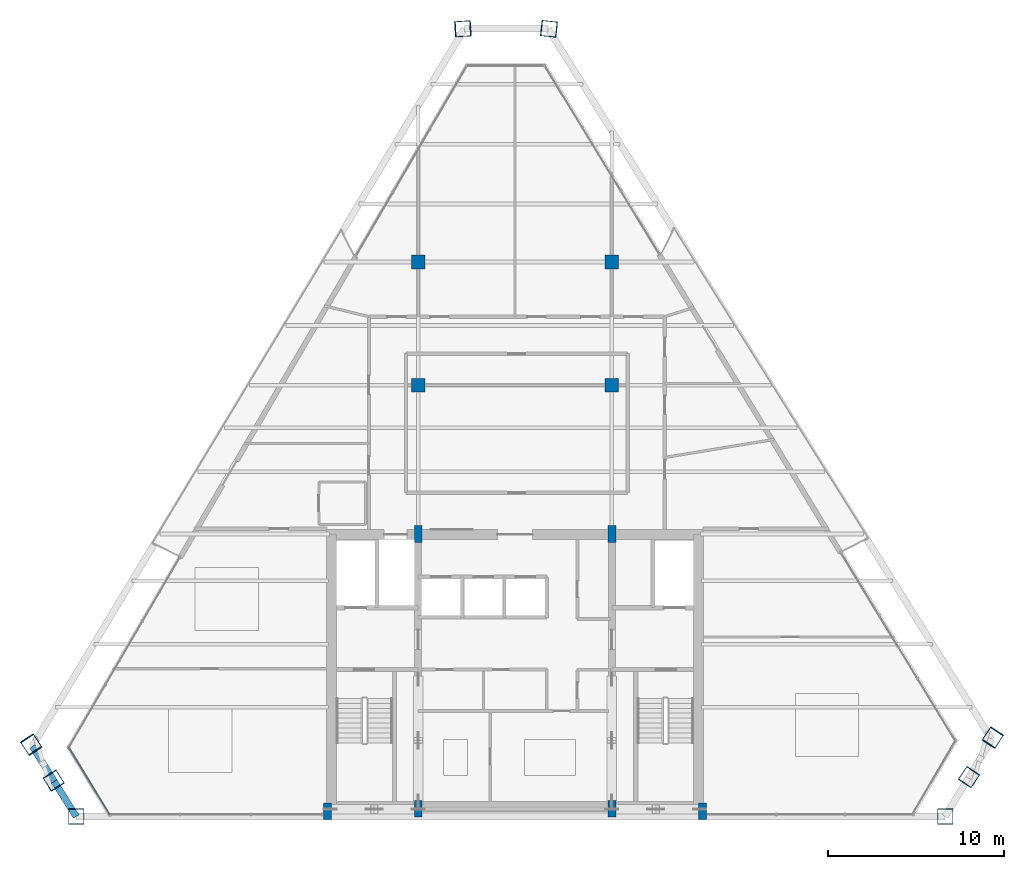
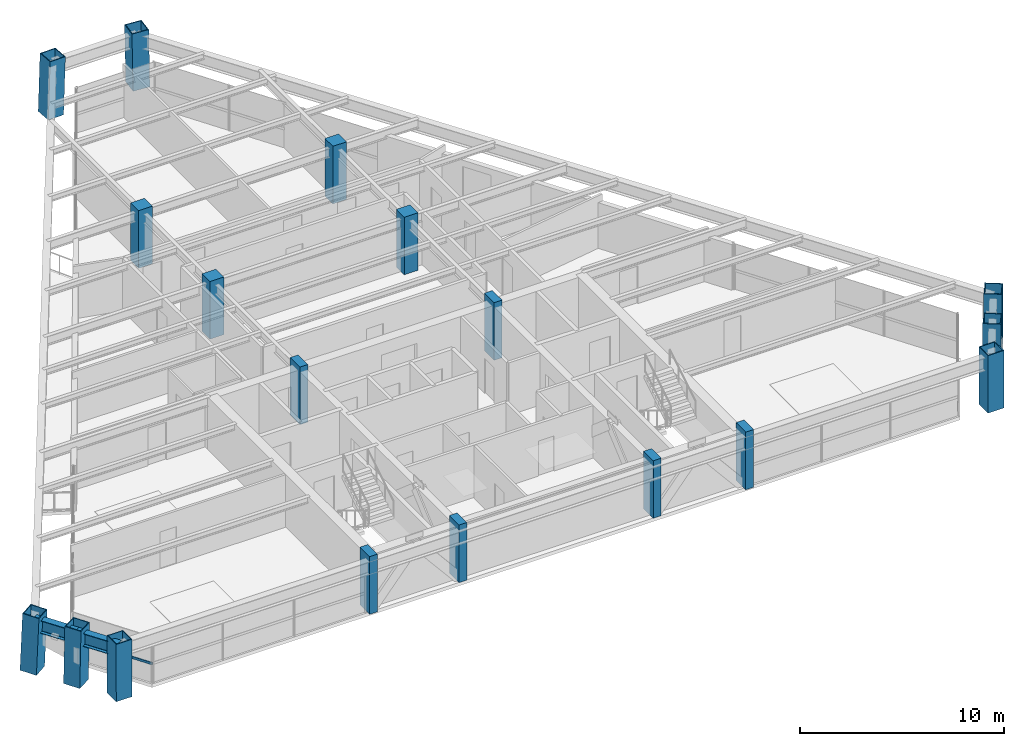
# One storey, part 1 of 13: 18 columns, 2 beams, 1 member, 1 element without a shape of its own.
"""IFC4 building model written with IfcOpenShell, lengths in metres."""

from ifc_helpers import new_model, si_unit, direction, frame, origin, origin_2d, place, context, subcontext, project, spatial, rectangle, hollow_rectangle, i_section, extrude, source, transform, mapped, material, material_profile, profile_set, type_object, element, aggregate, save


model = new_model("IFC4")

# Units and contexts
model_context = context("Model", 3, precision=1e-05, world=origin(), true_north=direction((0.0, 1.0)))
body_context = subcontext(model_context, "Body", "Model", "MODEL_VIEW")
ifc_project = project(units=[si_unit("LENGTHUNIT", "METRE"), si_unit("AREAUNIT", "SQUARE_METRE"), si_unit("VOLUMEUNIT", "CUBIC_METRE"), si_unit("PLANEANGLEUNIT", "RADIAN"), si_unit("MASSUNIT", "GRAM", prefix="KILO")], contexts=[model_context])

# Site, building, storey
site_placement = place(None, origin())
site = spatial("IfcSite", under=ifc_project, at=site_placement, CompositionType="ELEMENT")
building_placement = place(site_placement, origin())
building = spatial("IfcBuilding", under=site, at=building_placement, Name="Varnakhor Terracotta Tower", CompositionType="ELEMENT")
storey_placement = place(building_placement, frame((0.0, 0.0, 254.5)))
storey = spatial("IfcBuildingStorey", under=building, at=storey_placement, Name="L66", CompositionType="ELEMENT", Elevation=254.5)

# Columns
ifc_material_1 = material(Name="Concrete C50/60", Category="concrete")
ifc_material_profile_1 = material_profile(ifc_material_1, rectangle(XDim=0.449951171875, YDim=0.949951171875, at=origin_2d()), Name="RC PILASTER 950x450")
ifc_profile_set_1 = profile_set([ifc_material_profile_1], Name="Concrete C50/60")
column_type_1 = type_object("IfcColumnType", Name="COL-PIL-950x450", PredefinedType="PILASTER", material=ifc_profile_set_1)
shared_shape_1 = source(origin(), body_context, "Body", "SweptSolid", [
    extrude(rectangle(XDim=0.449951171875, YDim=0.949951171875, at=origin_2d()), origin(), (0.0, 0.0, 1.0), 3.449951171875),
])
for number, where, z_axis, x_axis, name in (
    (1, (-10.64990234375, 0.300048828125, 0.0), (0.0, 0.0, 1.0), (1.0, 0.0, 0.0), "L66 Core Pilaster CP1"),
    (2, (-5.5, 0.449951171875, 0.0), (0.0, 0.0, 1.0), (1.0, 0.0, 0.0), "L66 Core Pilaster CP2"),
    (3, (5.5, 0.449951171875, 0.0), (0.0, 0.0, 1.0), (1.0, 0.0, 0.0), "L66 Core Pilaster CP3"),
    (4, (10.64990234375, 0.300048828125, 0.0), (0.0, 0.0, 1.0), (1.0, 0.0, 0.0), "L66 Core Pilaster CP4"),
    (5, (-5.5, 16.050048828125, 0.0), (0.0, 0.0, 1.0), (1.0, 0.0, 0.0), "L66 Core Pilaster CP5"),
    (6, (5.5, 16.050048828125, 0.0), (0.0, 0.0, 1.0), (1.0, 0.0, 0.0), "L66 Core Pilaster CP6"),
):
    element("IfcColumn", number, at=place(storey_placement, frame(where, z_axis=z_axis, x_axis=x_axis)), inside=storey, type_object=column_type_1, Name=name, PredefinedType="PILASTER", context=body_context, shape_type="MappedRepresentation", body=[
        mapped(shared_shape_1, transform((0.0, 0.0, 0.0), scale=1.0)),
    ])
ifc_material_2 = material(Name="Steel S460", Category="steel")
ifc_material_profile_2 = material_profile(ifc_material_2, hollow_rectangle(XDim=0.89990234375, YDim=0.89990234375, WallThickness=0.044921875, at=origin_2d()), Name="BOX 900x900x45")
ifc_profile_set_2 = profile_set([ifc_material_profile_2], Name="Steel S460")
column_type_2 = type_object("IfcColumnType", Name="COL-MEGA-900", PredefinedType="COLUMN", material=ifc_profile_set_2)
shared_shape_2 = source(origin(), body_context, "Body", "SweptSolid", [
    extrude(hollow_rectangle(XDim=0.89990234375, YDim=0.89990234375, WallThickness=0.044921875, at=origin_2d()), origin(), (0.0, 0.0, 1.0), 3.441162109375),
])
for number, where, z_axis, x_axis, name in (
    (7, (-24.92724609375, 0.0, 0.00439453125), (-0.001277047557, 0.0, 0.999999184574), (1.0, 0.0, 0.0), "L66 Perimeter Mega-Column M1"),
    (8, (24.44091796875, 0.0, 0.00439453125), (-0.000496629949, 0.0, 0.999999876679), (1.0, 0.0, 0.0), "L66 Perimeter Mega-Column M2"),
):
    element("IfcColumn", number, at=place(storey_placement, frame(where, z_axis=z_axis, x_axis=x_axis)), inside=storey, type_object=column_type_2, Name=name, PredefinedType="COLUMN", context=body_context, shape_type="MappedRepresentation", body=[
        mapped(shared_shape_2, transform((0.0, 0.0, 0.0), scale=1.0)),
    ])
shared_shape_3 = source(origin(), body_context, "Body", "SweptSolid", [
    extrude(hollow_rectangle(XDim=0.89990234375, YDim=0.89990234375, WallThickness=0.044921875, at=origin_2d()), origin(), (0.0, 0.0, 1.0), 3.44189453125),
])
for number, where, z_axis, x_axis, name in (
    (9, (25.798828125, 2.251220703125, 0.00439453125), (-0.010781953224, -0.016031062031, 0.99981335985), (0.829783939239, -0.558084773293, 0.0), "L66 Perimeter Mega-Column M3"),
    (10, (-26.2138671875, 2.053466796875, 0.00439453125), (0.010569027476, -0.016882070733, 0.999801625997), (0.847597912228, 0.530639029084, 0.0), "L66 Perimeter Mega-Column M8"),
):
    element("IfcColumn", number, at=place(storey_placement, frame(where, z_axis=z_axis, x_axis=x_axis)), inside=storey, type_object=column_type_2, Name=name, PredefinedType="COLUMN", context=body_context, shape_type="MappedRepresentation", body=[
        mapped(shared_shape_3, transform((0.0, 0.0, 0.0), scale=1.0)),
    ])
shared_shape_4 = source(origin(), body_context, "Body", "SweptSolid", [
    extrude(hollow_rectangle(XDim=0.89990234375, YDim=0.89990234375, WallThickness=0.044921875, at=origin_2d()), origin(), (0.0, 0.0, 1.0), 3.44287109375),
])
column_1_placement = place(storey_placement, frame((-2.981201171875, 44.752197265625, 0.00439453125), z_axis=(0.031272330519, 0.001914632481, 0.999509067256), x_axis=(-0.06111006328, 0.998131033565, 0.0)))
element("IfcColumn", 11, at=column_1_placement, inside=storey, type_object=column_type_2, Name="L66 Perimeter Mega-Column M6", PredefinedType="COLUMN", context=body_context, shape_type="MappedRepresentation", body=[
    mapped(shared_shape_4, transform((0.0, 0.0, 0.0), scale=1.0)),
])
shared_shape_5 = source(origin(), body_context, "Body", "SweptSolid", [
    extrude(hollow_rectangle(XDim=0.89990234375, YDim=0.89990234375, WallThickness=0.044921875, at=origin_2d()), origin(), (0.0, 0.0, 1.0), 3.444091796875),
])
column_2_placement = place(storey_placement, frame((-27.50048828125, 4.107177734375, 0.00439453125), z_axis=(0.022400794386, -0.033884745938, 0.99917467362), x_axis=(0.834191959841, 0.551474182656, 0.0)))
element("IfcColumn", 12, at=column_2_placement, inside=storey, type_object=column_type_2, Name="L66 Perimeter Mega-Column M7", PredefinedType="COLUMN", context=body_context, shape_type="MappedRepresentation", body=[
    mapped(shared_shape_5, transform((0.0, 0.0, 0.0), scale=1.0)),
])
ifc_material_profile_3 = material_profile(ifc_material_1, rectangle(XDim=0.780029296875, YDim=0.780029296875, at=origin_2d()), Name="RC 780x780")
ifc_profile_set_3 = profile_set([ifc_material_profile_3], Name="Concrete C50/60")
column_type_3 = type_object("IfcColumnType", Name="COL-RC-780", PredefinedType="COLUMN", material=ifc_profile_set_3)
shared_shape_6 = source(origin(), body_context, "Body", "SweptSolid", [
    extrude(rectangle(XDim=0.780029296875, YDim=0.780029296875, at=origin_2d()), origin(), (0.0, 0.0, 1.0), 3.449951171875),
])
for number, where, z_axis, x_axis, name in (
    (13, (-5.5, 24.5, 0.0), (0.0, 0.0, 1.0), (1.0, 0.0, 0.0), "L66 Interior Tower Column IC1"),
    (14, (5.5, 24.5, 0.0), (0.0, 0.0, 1.0), (1.0, 0.0, 0.0), "L66 Interior Tower Column IC2"),
    (15, (-5.5, 31.5, 0.0), (0.0, 0.0, 1.0), (1.0, 0.0, 0.0), "L66 Interior Tower Column IC3"),
    (16, (5.5, 31.5, 0.0), (0.0, 0.0, 1.0), (1.0, 0.0, 0.0), "L66 Interior Tower Column IC4"),
):
    element("IfcColumn", number, at=place(storey_placement, frame(where, z_axis=z_axis, x_axis=x_axis)), inside=storey, type_object=column_type_3, Name=name, PredefinedType="COLUMN", context=body_context, shape_type="MappedRepresentation", body=[
        mapped(shared_shape_6, transform((0.0, 0.0, 0.0), scale=1.0)),
    ])
shared_shape_7 = source(origin(), body_context, "Body", "SweptSolid", [
    extrude(hollow_rectangle(XDim=0.89990234375, YDim=0.89990234375, WallThickness=0.044921875, at=origin_2d()), origin(), (0.0, 0.0, 1.0), 3.443603515625),
])
column_3_placement = place(storey_placement, frame((27.156982421875, 4.502685546875, 0.00439453125), z_axis=(-0.021197484919, -0.032115253071, 0.999259364306), x_axis=(0.834592466037, -0.550867874934, 0.0)))
element("IfcColumn", 17, at=column_3_placement, inside=storey, type_object=column_type_2, Name="L66 Perimeter Mega-Column M4", PredefinedType="COLUMN", context=body_context, shape_type="MappedRepresentation", body=[
    mapped(shared_shape_7, transform((0.0, 0.0, 0.0), scale=1.0)),
])
shared_shape_8 = source(origin(), body_context, "Body", "SweptSolid", [
    extrude(hollow_rectangle(XDim=0.89990234375, YDim=0.89990234375, WallThickness=0.044921875, at=origin_2d()), origin(), (0.0, 0.0, 1.0), 3.441650390625),
])
column_4_placement = place(storey_placement, frame((1.939697265625, 44.752197265625, 0.00439453125), z_axis=(-0.017592136656, 0.001915272942, 0.999843411969), x_axis=(-0.108231429766, -0.994125725254, 0.0)))
element("IfcColumn", 18, at=column_4_placement, inside=storey, type_object=column_type_2, Name="L66 Perimeter Mega-Column M5", PredefinedType="COLUMN", context=body_context, shape_type="MappedRepresentation", body=[
    mapped(shared_shape_8, transform((0.0, 0.0, 0.0), scale=1.0)),
])

# Beams
ifc_material_3 = material(Name="Steel S355", Category="steel")
ifc_material_profile_4 = material_profile(ifc_material_3, i_section(OverallWidth=0.381103515625, OverallDepth=0.77294921875, WebThickness=0.01708984375, FlangeThickness=0.027099609375, FilletRadius=0.01806640625, at=origin_2d()), Name="W30X173")
ifc_profile_set_4 = profile_set([ifc_material_profile_4], Name="Steel S355")
beam_type = type_object("IfcBeamType", Name="BM-W30X173", PredefinedType="BEAM", material=ifc_profile_set_4)
shared_shape_9 = source(origin(), body_context, "Body", "SweptSolid", [
    extrude(i_section(OverallWidth=0.381103515625, OverallDepth=0.77294921875, WebThickness=0.01708984375, FlangeThickness=0.027099609375, FilletRadius=0.01806640625, at=origin_2d()), origin(), (0.0, 0.0, 1.0), 2.35205078125),
])
beam_1_placement = place(storey_placement, frame((-27.42333984375, 3.990478515625, 2.763427734375), z_axis=(0.529663024289, -0.848208158827, 0.0), x_axis=(0.848208158827, 0.529663024289, 0.0)))
element("IfcBeam", 19, at=beam_1_placement, inside=storey, type_object=beam_type, Name="L66 Perimeter Spandrel 7", PredefinedType="BEAM", context=body_context, shape_type="MappedRepresentation", body=[
    mapped(shared_shape_9, transform((0.0, 0.0, 0.0), scale=1.0)),
])
shared_shape_10 = source(origin(), body_context, "Body", "SweptSolid", [
    extrude(i_section(OverallWidth=0.381103515625, OverallDepth=0.77294921875, WebThickness=0.01708984375, FlangeThickness=0.027099609375, FilletRadius=0.01806640625, at=origin_2d()), origin(), (0.0, 0.0, 1.0), 2.352294921875),
])
beam_2_placement = place(storey_placement, frame((-26.177490234375, 1.995361328125, 2.763427734375), z_axis=(0.529616396438, -0.848237273777, 0.0), x_axis=(0.848237273777, 0.529616396438, 0.0)))
element("IfcBeam", 20, at=beam_2_placement, inside=storey, type_object=beam_type, Name="L66 Perimeter Spandrel 8", PredefinedType="BEAM", context=body_context, shape_type="MappedRepresentation", body=[
    mapped(shared_shape_10, transform((0.0, 0.0, 0.0), scale=1.0)),
])

# Curtain wall, member
ifc_material_4 = material(Name="Anodised Aluminium Curtain Wall System", Category="aluminium")
curtain_wall_type = type_object("IfcCurtainWallType", Name="CW-SYS-HOTEL-LOGGIA", PredefinedType="NOTDEFINED", material=ifc_material_4)
curtain_wall_placement = place(storey_placement, origin())
curtain_wall = element("IfcCurtainWall", 21, at=curtain_wall_placement, inside=storey, type_object=curtain_wall_type, Name="L66 Facet Curtain Wall 6", PredefinedType="NOTDEFINED")
ifc_material_5 = material(Name="Anodised Aluminium 6063-T6", Category="aluminium")
ifc_material_profile_5 = material_profile(ifc_material_5, rectangle(XDim=0.06494140625, YDim=0.14501953125, at=origin_2d()), Name="ALU TRANSOM 65x145")
ifc_profile_set_5 = profile_set([ifc_material_profile_5], Name="Anodised Aluminium 6063-T6")
member_type = type_object("IfcMemberType", Name="CWT-04", PredefinedType="USERDEFINED", material=ifc_profile_set_5)
shared_shape_11 = source(origin(), body_context, "Body", "SweptSolid", [
    extrude(rectangle(XDim=0.06494140625, YDim=0.14501953125, at=origin_2d()), origin(), (0.0, 0.0, 1.0), 4.53515625),
])
member_placement = place(storey_placement, frame((-23.010986328125, 0.087890625, 1.146484375), z_axis=(-0.519648050198, 0.85438042108, 0.0), x_axis=(-0.85438042108, -0.519648050198, 0.0)))
member = element("IfcMember", 22, at=member_placement, type_object=member_type, Name="L66 Facet Curtain Wall 6 Transom 1", ObjectType="TRANSOM", PredefinedType="USERDEFINED", context=body_context, shape_type="MappedRepresentation", body=[
    mapped(shared_shape_11, transform((0.0, 0.0, 0.0), scale=1.0)),
])
aggregate(curtain_wall, [member])

save(model, "model.ifc")
